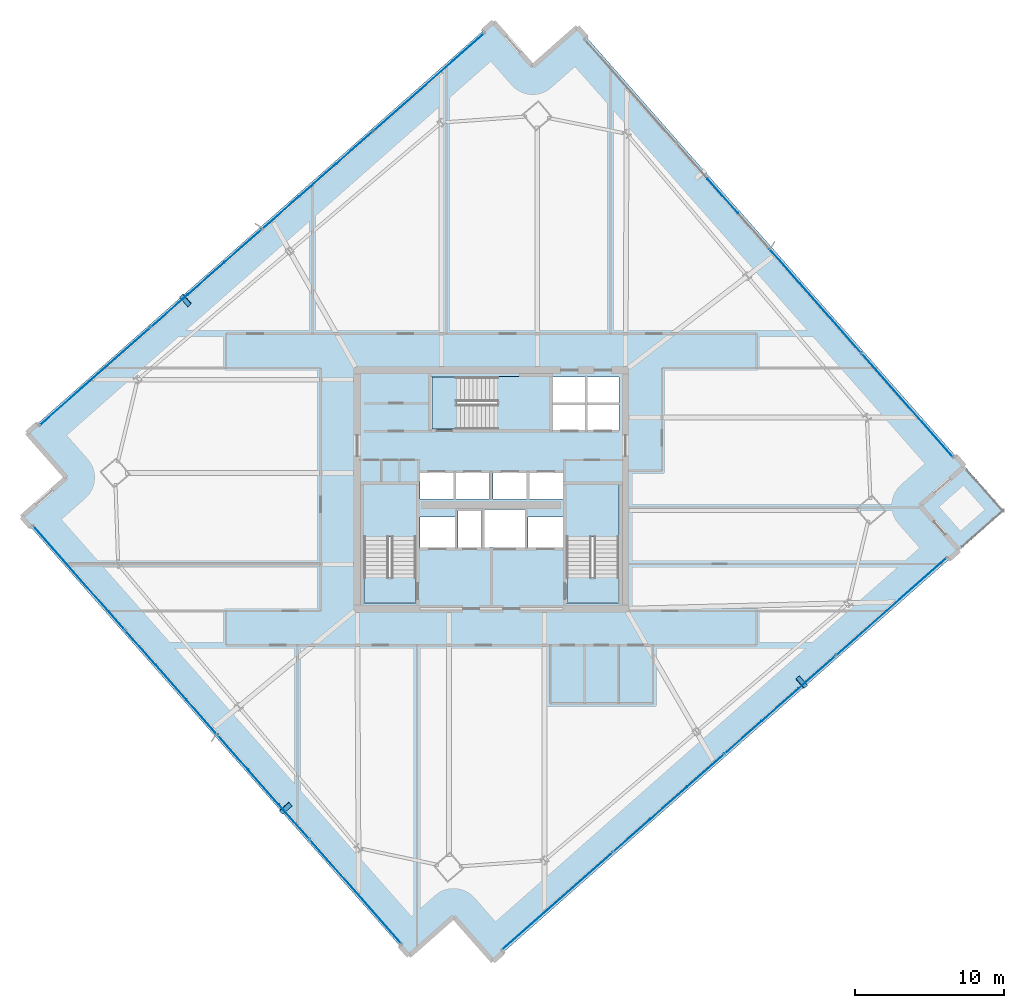
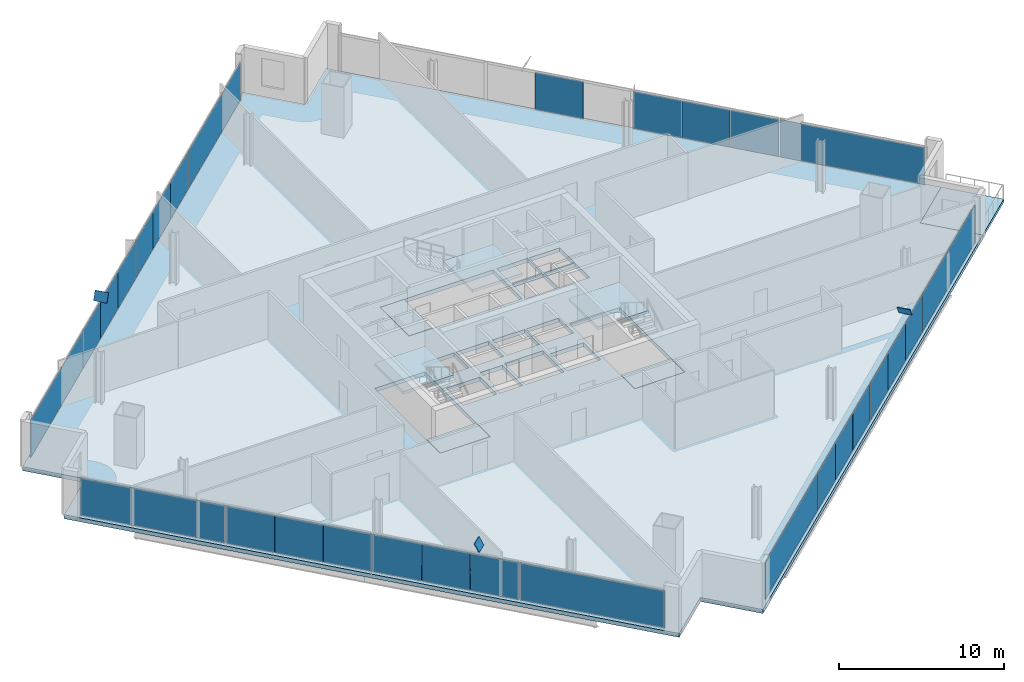
# One storey, part 25 of 34: 32 plates, 8 slabs, 7 elements without a shape of their own.
"""IFC4 building model written with IfcOpenShell, lengths in metres."""

import ifcopenshell
import ifcopenshell.guid

model = None  # the IFC model being written
_history = None  # IfcOwnerHistory: only IFC2X3 demands one
_inside = {}  # id of a spatial element -> (the spatial element, [elements in it])
_under = {}  # id of a project, library or spatial element -> (it, [spatial elements below it])
_declared = {}  # id of a project -> (the project, [libraries it declares])
_typed = {}  # id of a type object -> (the type object, [elements of that type])
_made_of = {}  # id of a material, layer set ... -> (it, [elements and type objects made of it])


def new_model(schema):
    """Start an empty IFC model of exactly this schema.

    Asked for "IFC4X3", IfcOpenShell would pick the latest addendum, in which some entities
    have other attributes; the version numbers below select the first issue.
    IFC2X3 requires an IfcOwnerHistory on every rooted entity: one is made here for all.
    """
    global model, _history
    if schema == "IFC4X3":
        model = ifcopenshell.file(schema_version=(4, 3, 0, 0))
    else:
        model = ifcopenshell.file(schema=schema)
    _inside.clear()
    _under.clear()
    _declared.clear()
    _typed.clear()
    _made_of.clear()
    _history = None
    if model.schema == "IFC2X3":
        org = make("IfcOrganization", Name="unknown")
        user = make(
            "IfcPersonAndOrganization",
            ThePerson=make("IfcPerson", FamilyName="unknown"),
            TheOrganization=org,
        )
        app = make(
            "IfcApplication",
            ApplicationDeveloper=org,
            Version="unknown",
            ApplicationFullName="unknown",
            ApplicationIdentifier="unknown",
        )
        _history = make(
            "IfcOwnerHistory",
            OwningUser=user,
            OwningApplication=app,
            ChangeAction="ADDED",
            CreationDate=0,
        )
    return model


def make(cls, **values):
    """One entity of the class cls with the attributes given. An attribute that is None is left unset."""
    return model.create_entity(
        cls, **{name: value for name, value in values.items() if value is not None}
    )


def rooted(cls, **values):
    """An entity with a GlobalId (a new one), such as an element, a storey or a relation."""
    return make(cls, GlobalId=ifcopenshell.guid.new(), OwnerHistory=_history, **values)


def si_unit(unit_type, name, prefix=None):
    """IfcSIUnit, for example si_unit("LENGTHUNIT", "METRE", prefix="MILLI")."""
    return make("IfcSIUnit", UnitType=unit_type, Prefix=prefix, Name=name)


def assignment(units):
    """IfcUnitAssignment: the units of a project."""
    return None if units is None else make("IfcUnitAssignment", Units=units)


def point(xyz):
    """IfcCartesianPoint."""
    return None if xyz is None else make("IfcCartesianPoint", Coordinates=xyz)


def direction(xyz):
    """IfcDirection."""
    return None if xyz is None else make("IfcDirection", DirectionRatios=xyz)


def frame(location, z_axis=None, x_axis=None):
    """IfcAxis2Placement3D, a coordinate frame: its origin and axes. An axis left out is left unset."""
    return make(
        "IfcAxis2Placement3D",
        Location=point(location),
        Axis=direction(z_axis),
        RefDirection=direction(x_axis),
    )


def frame_2d(location, x_axis=None):
    """IfcAxis2Placement2D, a coordinate frame in the plane: its origin and x axis."""
    return make(
        "IfcAxis2Placement2D", Location=point(location), RefDirection=direction(x_axis)
    )


def origin():
    """The frame at (0, 0, 0) with its axes left unset."""
    return frame((0.0, 0.0, 0.0))


def origin_2d():
    """The frame at (0, 0) in the plane with its x axis left unset."""
    return frame_2d((0.0, 0.0))


def place(relative_to, where):
    """IfcLocalPlacement: puts the frame where relative to a parent placement (None: the world)."""
    return make(
        "IfcLocalPlacement", PlacementRelTo=relative_to, RelativePlacement=where
    )


def context(
    kind, dimensions, precision=None, world=None, true_north=None, identifier=None
):
    """IfcGeometricRepresentationContext, for example the 3D "Model" context."""
    return make(
        "IfcGeometricRepresentationContext",
        ContextIdentifier=identifier,
        ContextType=kind,
        CoordinateSpaceDimension=dimensions,
        Precision=precision,
        WorldCoordinateSystem=world,
        TrueNorth=true_north,
    )


def subcontext(parent, identifier, kind, view, scale=None):
    """IfcGeometricRepresentationSubContext, for example "Body" below "Model"."""
    return make(
        "IfcGeometricRepresentationSubContext",
        ContextIdentifier=identifier,
        ContextType=kind,
        ParentContext=parent,
        TargetScale=scale,
        TargetView=view,
    )


def project(units=None, contexts=None):
    """IfcProject with its units and contexts."""
    return rooted(
        "IfcProject",
        Name="project",
        RepresentationContexts=contexts,
        UnitsInContext=assignment(units),
    )


def spatial(cls, under=None, at=None, **own):
    """A site, building, storey or space (cls), placed at a placement, below another one or the project."""
    s = rooted(cls, ObjectPlacement=at, **own)
    if under is not None:
        _under.setdefault(under.id(), (under, []))[1].append(s)
    return s


def polyline(points):
    """IfcPolyline through the points."""
    return make("IfcPolyline", Points=[point(p) for p in points])


def profile(cls, at=None, kind="AREA", **sizes):
    """A parametric profile (cls). Its sizes go by their IFC names, for example OverallWidth=200.0."""
    return make(cls, ProfileType=kind, Position=at, **sizes)


def rectangle(**sizes):
    """IfcRectangleProfileDef."""
    return profile("IfcRectangleProfileDef", **sizes)


def outline(outer, holes=None, kind="AREA"):
    """IfcArbitraryClosedProfileDef: a profile drawn as a closed curve; with holes, ...WithVoids."""
    if holes is None:
        return make("IfcArbitraryClosedProfileDef", ProfileType=kind, OuterCurve=outer)
    return make(
        "IfcArbitraryProfileDefWithVoids",
        ProfileType=kind,
        OuterCurve=outer,
        InnerCurves=holes,
    )


def extrude(swept, where, along, depth):
    """IfcExtrudedAreaSolid: the profile swept, set in the frame where, extruded along a direction by depth."""
    return make(
        "IfcExtrudedAreaSolid",
        SweptArea=swept,
        Position=where,
        ExtrudedDirection=direction(along),
        Depth=depth,
    )


def shape(context_of_items, identifier, shape_type, items):
    """IfcShapeRepresentation: the items that make up one representation, for example the "Body"."""
    return make(
        "IfcShapeRepresentation",
        ContextOfItems=context_of_items,
        RepresentationIdentifier=identifier,
        RepresentationType=shape_type,
        Items=items,
    )


def source(mapping_origin, context_of_items, identifier, shape_type, items):
    """IfcRepresentationMap: a shape defined once, which mapped items show again and again."""
    return make(
        "IfcRepresentationMap",
        MappingOrigin=mapping_origin,
        MappedRepresentation=shape(context_of_items, identifier, shape_type, items),
    )


def transform(
    local_origin,
    x_axis=None,
    y_axis=None,
    z_axis=None,
    scale=None,
    scale2=None,
    scale3=None,
    uniform=True,
):
    """IfcCartesianTransformationOperator3D, or its non-uniform kind. x_axis, y_axis, z_axis: its Axis1, 2, 3."""
    if uniform:
        return make(
            "IfcCartesianTransformationOperator3D",
            Axis1=direction(x_axis),
            Axis2=direction(y_axis),
            LocalOrigin=point(local_origin),
            Scale=scale,
            Axis3=direction(z_axis),
        )
    return make(
        "IfcCartesianTransformationOperator3DnonUniform",
        Axis1=direction(x_axis),
        Axis2=direction(y_axis),
        LocalOrigin=point(local_origin),
        Scale=scale,
        Axis3=direction(z_axis),
        Scale2=scale2,
        Scale3=scale3,
    )


def mapped(mapping_source, mapping_target):
    """IfcMappedItem: shows the shape of a source again, moved by a transform."""
    return make(
        "IfcMappedItem", MappingSource=mapping_source, MappingTarget=mapping_target
    )


def material(Name=None, Category=None):
    """IfcMaterial."""
    return make("IfcMaterial", Name=Name, Category=Category)


def layer(
    of_material, thickness, ventilated=None, Name=None, Category=None, Priority=None
):
    """IfcMaterialLayer: one layer of a wall or slab, of a material (None: an air gap)."""
    return make(
        "IfcMaterialLayer",
        Material=of_material,
        LayerThickness=thickness,
        IsVentilated=ventilated,
        Name=Name,
        Category=Category,
        Priority=Priority,
    )


def layer_set(layers, Name=None):
    """IfcMaterialLayerSet."""
    return make("IfcMaterialLayerSet", MaterialLayers=layers, LayerSetName=Name)


def made_of(thing, what):
    """Note that an element or type object is made of a material, layer set ...; save() writes the relation."""
    if what is not None:
        _made_of.setdefault(what.id(), (what, []))[1].append(thing)
    return thing


def type_object(cls, material=None, **own):
    """A type object (cls), such as IfcWallType, which elements share."""
    return made_of(rooted(cls, **own), material)


def element(
    cls,
    number,
    at=None,
    inside=None,
    cuts=None,
    type_object=None,
    material=None,
    context=None,
    identifier="Body",
    shape_type=None,
    held_by="IfcProductDefinitionShape",
    body=None,
    shapes=None,
    **own,
):
    """One element of the class cls, such as IfcWall. Its Tag is "e" and its number.

    at: its placement. inside: the storey or other place that contains it. cuts: it is an
    opening in that element (IfcRelVoidsElement). A single representation is given by context,
    identifier, shape_type and body (its items); several are given by shapes. held_by: the class
    of the entity that holds the representations. save() writes the other relations.
    """
    e = rooted(cls, Tag="e%d" % number, ObjectPlacement=at, **own)
    if body is not None:
        shapes = [shape(context, identifier, shape_type, body)]
    if shapes is not None:
        e.Representation = make(held_by, Representations=shapes)
    if inside is not None:
        _inside.setdefault(inside.id(), (inside, []))[1].append(e)
    if cuts is not None:
        rooted(
            "IfcRelVoidsElement", RelatingBuildingElement=cuts, RelatedOpeningElement=e
        )
    if type_object is not None:
        _typed.setdefault(type_object.id(), (type_object, []))[1].append(e)
    return made_of(e, material)


def aggregate(whole, parts):
    """IfcRelAggregates: a whole, such as a stair, and the parts it consists of."""
    return rooted("IfcRelAggregates", RelatingObject=whole, RelatedObjects=parts)


def save(model, path):
    """Write the relations noted so far, then the file.

    IfcRelAggregates (storeys below a building ...), IfcRelContainedInSpatialStructure (elements
    in a storey), IfcRelDefinesByType, IfcRelAssociatesMaterial and IfcRelDeclares: one each for
    every whole, place, type object, material and project.
    """
    for whole, parts in _under.values():
        aggregate(whole, parts)
    for where, things in _inside.values():
        rooted(
            "IfcRelContainedInSpatialStructure",
            RelatedElements=things,
            RelatingStructure=where,
        )
    for kind, things in _typed.values():
        rooted("IfcRelDefinesByType", RelatedObjects=things, RelatingType=kind)
    for what, things in _made_of.values():
        rooted("IfcRelAssociatesMaterial", RelatedObjects=things, RelatingMaterial=what)
    for by, libraries in _declared.values():
        rooted("IfcRelDeclares", RelatingContext=by, RelatedDefinitions=libraries)
    model.write(path)


model = new_model("IFC4")

# Units and contexts
model_context = context("Model", 3, precision=1e-05, world=origin(), true_north=direction((0.0, 1.0)))
body_context = subcontext(model_context, "Body", "Model", "MODEL_VIEW")
ifc_project = project(units=[si_unit("LENGTHUNIT", "METRE"), si_unit("AREAUNIT", "SQUARE_METRE"), si_unit("VOLUMEUNIT", "CUBIC_METRE"), si_unit("PLANEANGLEUNIT", "RADIAN"), si_unit("MASSUNIT", "GRAM", prefix="KILO")], contexts=[model_context])

# Site, building, storey
site_placement = place(None, origin())
site = spatial("IfcSite", under=ifc_project, at=site_placement, CompositionType="ELEMENT")
building_placement = place(site_placement, origin())
building = spatial("IfcBuilding", under=site, at=building_placement, Name="Haldenkirk Collegiate Tower", CompositionType="ELEMENT")
storey_placement = place(building_placement, frame((0.0, 0.0, 166.949951171875)))
storey = spatial("IfcBuildingStorey", under=building, at=storey_placement, Name="L41", CompositionType="ELEMENT", Elevation=166.949951171875)

# Slab
ifc_material_1 = material(Name="Concrete f'c 40 MPa", Category="concrete")
ifc_layer_1 = layer(ifc_material_1, 0.2900390625)
ifc_layer_set_1 = layer_set([ifc_layer_1], Name="Concrete f'c 40 MPa")
slab_type_1 = type_object("IfcSlabType", Name="SLB-FLR-290", PredefinedType="FLOOR", material=ifc_layer_set_1)
slab_1_placement = place(storey_placement, frame((0.0, 0.0, -0.2900390625)))
element("IfcSlab", 1, at=slab_1_placement, inside=storey, type_object=slab_type_1, Name="L41 composite structural floor slab", PredefinedType="FLOOR", context=body_context, shape_type="SweptSolid", body=[
    extrude(outline(polyline([(36.115966796875, -5.65966796875), (67.3955078125, 21.9169921875), (64.750244140625, 24.91748046875), (67.750732421875, 27.5625), (41.777587890625, 57.023193359375), (38.77734375, 54.3779296875), (36.132080078125, 57.37841796875), (4.852294921875, 29.8017578125), (7.497802734375, 26.80126953125), (4.497314453125, 24.156005859375), (30.47021484375, -5.3046875), (33.470703125, -2.6591796875), (36.115966796875, -5.65966796875)]), holes=[polyline([(27.449951171875, 18.39990234375), (30.949951171875, 18.39990234375), (30.949951171875, 26.300048828125), (27.449951171875, 26.300048828125), (27.449951171875, 18.39990234375)]), polyline([(41.050048828125, 18.39990234375), (44.550048828125, 18.39990234375), (44.550048828125, 26.300048828125), (41.050048828125, 26.300048828125), (41.050048828125, 18.39990234375)]), polyline([(32.0, 30.050048828125), (39.89990234375, 30.050048828125), (39.89990234375, 33.550048828125), (32.0, 33.550048828125), (32.0, 30.050048828125)]), polyline([(33.75, 22.10009765625), (35.35009765625, 22.10009765625), (35.35009765625, 24.550048828125), (33.75, 24.550048828125), (33.75, 22.10009765625)]), polyline([(40.14990234375, 29.949951171875), (42.320068359375, 29.949951171875), (42.320068359375, 31.699951171875), (40.14990234375, 31.699951171875), (40.14990234375, 29.949951171875)]), polyline([(42.419921875, 29.949951171875), (44.550048828125, 29.949951171875), (44.550048828125, 31.699951171875), (42.419921875, 31.699951171875), (42.419921875, 29.949951171875)]), polyline([(40.14990234375, 31.800048828125), (42.320068359375, 31.800048828125), (42.320068359375, 33.550048828125), (40.14990234375, 33.550048828125), (40.14990234375, 31.800048828125)]), polyline([(42.419921875, 31.800048828125), (44.550048828125, 31.800048828125), (44.550048828125, 33.550048828125), (42.419921875, 33.550048828125), (42.419921875, 31.800048828125)]), polyline([(31.199951171875, 25.35009765625), (33.47998046875, 25.35009765625), (33.47998046875, 27.14990234375), (31.199951171875, 27.14990234375), (31.199951171875, 25.35009765625)]), polyline([(33.60009765625, 25.35009765625), (35.8798828125, 25.35009765625), (35.8798828125, 27.14990234375), (33.60009765625, 27.14990234375), (33.60009765625, 25.35009765625)]), polyline([(36.1201171875, 25.35009765625), (38.39990234375, 25.35009765625), (38.39990234375, 27.14990234375), (36.1201171875, 27.14990234375), (36.1201171875, 25.35009765625)]), polyline([(38.52001953125, 25.35009765625), (40.800048828125, 25.35009765625), (40.800048828125, 27.14990234375), (38.52001953125, 27.14990234375), (38.52001953125, 25.35009765625)]), polyline([(31.199951171875, 22.10009765625), (33.550048828125, 22.10009765625), (33.550048828125, 24.14990234375), (31.199951171875, 24.14990234375), (31.199951171875, 22.10009765625)]), polyline([(38.449951171875, 22.10009765625), (40.800048828125, 22.10009765625), (40.800048828125, 24.14990234375), (38.449951171875, 24.14990234375), (38.449951171875, 22.10009765625)]), polyline([(35.550048828125, 22.10009765625), (38.25, 22.10009765625), (38.25, 24.64990234375), (35.550048828125, 24.64990234375), (35.550048828125, 22.10009765625)])]), origin(), (0.0, 0.0, 1.0), 0.2900390625),
])

# Stair, slab
stair_type = type_object("IfcStairType", Name="STR-DOGLEG-1650", PredefinedType="HALF_TURN_STAIR", material=ifc_material_1)
stair_1_placement = place(storey_placement, origin())
stair_1 = element("IfcStair", 2, at=stair_1_placement, inside=storey, type_object=stair_type, Name="L41 Core Exit Stair ST-1", PredefinedType="HALF_TURN_STAIR")
ifc_layer_2 = layer(ifc_material_1, 0.199951171875)
ifc_layer_set_2 = layer_set([ifc_layer_2], Name="Concrete f'c 40 MPa")
slab_type_2 = type_object("IfcSlabType", Name="SLB-LANDING-200", PredefinedType="LANDING", material=ifc_layer_set_2)
slab_2_placement = place(storey_placement, frame((0.0, 0.0, 1.675048828125)))
slab_2 = element("IfcSlab", 3, at=slab_2_placement, type_object=slab_type_2, Name="ST-1 landing 1", PredefinedType="LANDING", context=body_context, shape_type="SweptSolid", body=[
    extrude(outline(polyline([(30.97509765625, 22.824951171875), (27.425048828125, 22.824951171875), (27.425048828125, 26.324951171875), (30.97509765625, 26.324951171875), (30.97509765625, 22.824951171875)])), origin(), (0.0, 0.0, 1.0), 0.199951171875),
])
aggregate(stair_1, [slab_2])

stair_2_placement = place(storey_placement, origin())
stair_2 = element("IfcStair", 4, at=stair_2_placement, inside=storey, type_object=stair_type, Name="L41 Core Exit Stair ST-2", PredefinedType="HALF_TURN_STAIR")
slab_3_placement = place(storey_placement, frame((0.0, 0.0, 1.675048828125)))
slab_3 = element("IfcSlab", 5, at=slab_3_placement, type_object=slab_type_2, Name="ST-2 landing 1", PredefinedType="LANDING", context=body_context, shape_type="SweptSolid", body=[
    extrude(outline(polyline([(44.574951171875, 22.824951171875), (41.02490234375, 22.824951171875), (41.02490234375, 26.324951171875), (44.574951171875, 26.324951171875), (44.574951171875, 22.824951171875)])), origin(), (0.0, 0.0, 1.0), 0.199951171875),
])
aggregate(stair_2, [slab_3])

stair_3_placement = place(storey_placement, origin())
stair_3 = element("IfcStair", 6, at=stair_3_placement, inside=storey, type_object=stair_type, Name="L41 Core Exit Stair ST-3", PredefinedType="HALF_TURN_STAIR")
slab_4_placement = place(storey_placement, frame((0.0, 0.0, 1.675048828125)))
slab_4 = element("IfcSlab", 7, at=slab_4_placement, type_object=slab_type_2, Name="ST-3 landing 1", PredefinedType="LANDING", context=body_context, shape_type="SweptSolid", body=[
    extrude(outline(polyline([(36.425048828125, 30.02490234375), (36.425048828125, 33.574951171875), (39.925048828125, 33.574951171875), (39.925048828125, 30.02490234375), (36.425048828125, 30.02490234375)])), origin(), (0.0, 0.0, 1.0), 0.199951171875),
])
aggregate(stair_3, [slab_4])

# Slabs
ifc_layer_3 = layer(ifc_material_1, 0.25)
ifc_layer_set_3 = layer_set([ifc_layer_3], Name="Concrete f'c 40 MPa")
slab_type_3 = type_object("IfcSlabType", Name="SLB-STAIRLAND-250", PredefinedType="LANDING", material=ifc_layer_set_3)
slab_5_placement = place(storey_placement, frame((0.0, 0.0, -0.25)))
element("IfcSlab", 8, at=slab_5_placement, inside=storey, type_object=slab_type_3, Name="L41 stair ST1 structural floor landing slab", PredefinedType="LANDING", context=body_context, shape_type="SweptSolid", body=[
    extrude(outline(polyline([(27.4599609375, 18.409912109375), (30.93994140625, 18.409912109375), (30.93994140625, 20.080078125), (27.4599609375, 20.080078125), (27.4599609375, 18.409912109375)])), origin(), (0.0, 0.0, 1.0), 0.25),
])
slab_6_placement = place(storey_placement, frame((0.0, 0.0, -0.25)))
element("IfcSlab", 9, at=slab_6_placement, inside=storey, type_object=slab_type_3, Name="L41 stair ST2 structural floor landing slab", PredefinedType="LANDING", context=body_context, shape_type="SweptSolid", body=[
    extrude(outline(polyline([(41.06005859375, 18.409912109375), (44.5400390625, 18.409912109375), (44.5400390625, 20.080078125), (41.06005859375, 20.080078125), (41.06005859375, 18.409912109375)])), origin(), (0.0, 0.0, 1.0), 0.25),
])
slab_7_placement = place(storey_placement, frame((0.0, 0.0, -0.25)))
element("IfcSlab", 10, at=slab_7_placement, inside=storey, type_object=slab_type_3, Name="L41 stair ST3 structural floor landing slab", PredefinedType="LANDING", context=body_context, shape_type="SweptSolid", body=[
    extrude(outline(polyline([(32.010009765625, 30.06005859375), (33.679931640625, 30.06005859375), (33.679931640625, 33.5400390625), (32.010009765625, 33.5400390625), (32.010009765625, 30.06005859375)])), origin(), (0.0, 0.0, 1.0), 0.25),
])
ifc_layer_4 = layer(ifc_material_1, 0.22998046875)
ifc_layer_set_4 = layer_set([ifc_layer_4], Name="Concrete f'c 40 MPa")
slab_type_4 = type_object("IfcSlabType", Name="SLB-TERR-SPIRAL-230", PredefinedType="FLOOR", material=ifc_layer_set_4)
slab_8_placement = place(storey_placement, frame((0.0, 0.0, -0.22998046875)))
element("IfcSlab", 11, at=slab_8_placement, inside=storey, type_object=slab_type_4, Name="L41 spiralling corner terrace slab", PredefinedType="FLOOR", context=body_context, shape_type="SweptSolid", body=[
    extrude(outline(polyline([(67.3955078125, 21.9169921875), (70.39599609375, 24.562255859375), (67.750732421875, 27.5625), (64.750244140625, 24.91748046875), (67.3955078125, 21.9169921875)])), origin(), (0.0, 0.0, 1.0), 0.22998046875),
])

# Plates
ifc_material_2 = material(Name="Steel ASTM A572 Grade 50", Category="steel")
ifc_layer_5 = layer(ifc_material_2, 0.034912109375)
ifc_layer_set_5 = layer_set([ifc_layer_5], Name="Steel ASTM A572 Grade 50")
plate_type_1 = type_object("IfcPlateType", Name="PLT-CAP-EXT-760X600", PredefinedType="USERDEFINED", material=ifc_layer_set_5)
shared_shape_1 = source(origin(), body_context, "Body", "SweptSolid", [
    extrude(rectangle(XDim=0.860107421875, YDim=0.659912109375, at=origin_2d()), origin(), (0.0, 0.0, 1.0), 0.034912109375),
])
for number, where, z_axis, x_axis, name in (
    (12, (56.80908203125, 13.0595703125, 3.44873046875), (0.675896113423, 0.581156097525, 0.453235076058), (-0.651965314257, 0.758248790969, -1.90451e-07), "Perimeter Mega Brace Z3 L39-L41 SL end cap plate 2"),
    (13, (15.485107421875, 38.701416015625, 3.44873046875), (-0.671789098344, -0.586610085875, 0.452314066215), (0.65773861328, -0.753246252298, -4.83699e-07), "Perimeter Mega Brace Z3 L39-L41 NL end cap plate 2"),
    (14, (22.190185546875, 4.621826171875, 3.448486328125), (0.581636894709, -0.664010879797, 0.46988091494), (0.75222434065, 0.658907080956, 8.7064e-08), "Perimeter Mega Brace Z3 L39-L41 WL end cap plate 2"),
):
    element("IfcPlate", number, at=place(storey_placement, frame(where, z_axis=z_axis, x_axis=x_axis)), inside=storey, type_object=plate_type_1, Name=name, ObjectType="END CAP PLATE", PredefinedType="USERDEFINED", context=body_context, shape_type="MappedRepresentation", body=[
        mapped(shared_shape_1, transform((0.0, 0.0, 0.0), x_axis=(1.0, 0.0, 0.0), y_axis=(0.0, 1.0, 0.0), z_axis=(0.0, 0.0, 1.0), scale=1.0)),
    ])

# Curtain wall, plates
ifc_material_3 = material(Name="Anodised architectural bronze aluminium", Category="aluminium")
curtain_wall_type_1 = type_object("IfcCurtainWallType", Name="CW-SYS2-CONCAVE", PredefinedType="USERDEFINED", material=ifc_material_3)
curtain_wall_1_placement = place(storey_placement, origin())
curtain_wall_1 = element("IfcCurtainWall", 15, at=curtain_wall_1_placement, inside=storey, type_object=curtain_wall_type_1, Name="L41 South concave recessed bronze-anodised curtain wall", ObjectType="UNITISED CURTAIN WALL", PredefinedType="USERDEFINED")
ifc_material_4 = material(Name="Low-E argon triple insulating glass", Category="glass")
ifc_layer_6 = layer(ifc_material_4, 0.0419921875)
ifc_layer_set_6 = layer_set([ifc_layer_6], Name="Low-E argon triple insulating glass")
plate_type_2 = type_object("IfcPlateType", Name="CW-PNL-02", PredefinedType="CURTAIN_PANEL", material=ifc_layer_set_6)
shared_shape_2 = source(origin(), body_context, "Body", "SweptSolid", [
    extrude(rectangle(XDim=9.862548828125, YDim=0.0419921875, at=origin_2d()), origin(), (0.0, 0.0, 1.0), 2.760986328125),
])
plate_1_placement = place(storey_placement, frame((62.84619140625, 18.14599609375, 0.0751953125), z_axis=(0.0, 0.0, 1.0), x_axis=(-0.750112358382, -0.661310403519, 0.0)))
plate_1 = element("IfcPlate", 16, at=plate_1_placement, type_object=plate_type_2, Name="CW-02 panel 1.1", PredefinedType="CURTAIN_PANEL", context=body_context, shape_type="MappedRepresentation", body=[
    mapped(shared_shape_2, transform((0.0, 0.0, 0.0), x_axis=(1.0, 0.0, 0.0), y_axis=(0.0, 1.0, 0.0), z_axis=(0.0, 0.0, 1.0), scale=1.0)),
])
plate_2_placement = place(storey_placement, frame((40.42724609375, -1.618896484375, 0.0751953125), z_axis=(0.0, 0.0, 1.0), x_axis=(-0.750112358382, -0.661310403519, 0.0)))
plate_2 = element("IfcPlate", 17, at=plate_2_placement, type_object=plate_type_2, Name="CW-02 panel 4.1", PredefinedType="CURTAIN_PANEL", context=body_context, shape_type="MappedRepresentation", body=[
    mapped(shared_shape_2, transform((0.0, 0.0, 0.0), x_axis=(1.0, 0.0, 0.0), y_axis=(0.0, 1.0, 0.0), z_axis=(0.0, 0.0, 1.0), scale=1.0)),
])
ifc_material_5 = material(Name="Bronze-anodised insulated aluminium spandrel panel", Category="aluminium")
ifc_layer_7 = layer(ifc_material_5, 0.0419921875)
ifc_layer_set_7 = layer_set([ifc_layer_7], Name="Bronze-anodised insulated aluminium spandrel panel")
plate_type_3 = type_object("IfcPlateType", Name="CW-SPD-02", PredefinedType="CURTAIN_PANEL", material=ifc_layer_set_7)
shared_shape_3 = source(origin(), body_context, "Body", "SweptSolid", [
    extrude(rectangle(XDim=3.28759765625, YDim=0.0419921875, at=origin_2d()), origin(), (0.0, 0.0, 1.0), 2.760986328125),
])
plate_3_placement = place(storey_placement, frame((57.85791015625, 13.748291015625, 0.0751953125), z_axis=(0.0, 0.0, 1.0), x_axis=(-0.750112358382, -0.661310403519, 0.0)))
plate_3 = element("IfcPlate", 18, at=plate_3_placement, type_object=plate_type_3, Name="CW-02 spandrel panel 2.1a", PredefinedType="CURTAIN_PANEL", context=body_context, shape_type="MappedRepresentation", body=[
    mapped(shared_shape_3, transform((0.0, 0.0, 0.0), x_axis=(1.0, 0.0, 0.0), y_axis=(0.0, 1.0, 0.0), z_axis=(0.0, 0.0, 1.0), scale=1.0)),
])
plate_4_placement = place(storey_placement, frame((52.89794921875, 9.37548828125, 0.0751953125), z_axis=(0.0, 0.0, 1.0), x_axis=(-0.750112358382, -0.661310403519, 0.0)))
plate_4 = element("IfcPlate", 19, at=plate_4_placement, type_object=plate_type_3, Name="CW-02 spandrel panel 2.1c", PredefinedType="CURTAIN_PANEL", context=body_context, shape_type="MappedRepresentation", body=[
    mapped(shared_shape_3, transform((0.0, 0.0, 0.0), x_axis=(1.0, 0.0, 0.0), y_axis=(0.0, 1.0, 0.0), z_axis=(0.0, 0.0, 1.0), scale=1.0)),
])
plate_5_placement = place(storey_placement, frame((50.37548828125, 7.15185546875, 0.0751953125), z_axis=(0.0, 0.0, 1.0), x_axis=(-0.750112358382, -0.661310403519, 0.0)))
plate_5 = element("IfcPlate", 20, at=plate_5_placement, type_object=plate_type_3, Name="CW-02 spandrel panel 3.1a", PredefinedType="CURTAIN_PANEL", context=body_context, shape_type="MappedRepresentation", body=[
    mapped(shared_shape_3, transform((0.0, 0.0, 0.0), x_axis=(1.0, 0.0, 0.0), y_axis=(0.0, 1.0, 0.0), z_axis=(0.0, 0.0, 1.0), scale=1.0)),
])
plate_6_placement = place(storey_placement, frame((45.41552734375, 2.77880859375, 0.0751953125), z_axis=(0.0, 0.0, 1.0), x_axis=(-0.750112358382, -0.661310403519, 0.0)))
plate_6 = element("IfcPlate", 21, at=plate_6_placement, type_object=plate_type_2, Name="CW-02 panel 3.1c", PredefinedType="CURTAIN_PANEL", context=body_context, shape_type="MappedRepresentation", body=[
    mapped(shared_shape_3, transform((0.0, 0.0, 0.0), x_axis=(1.0, 0.0, 0.0), y_axis=(0.0, 1.0, 0.0), z_axis=(0.0, 0.0, 1.0), scale=1.0)),
])
shared_shape_4 = source(origin(), body_context, "Body", "SweptSolid", [
    extrude(rectangle(XDim=3.27490234375, YDim=0.0419921875, at=origin_2d()), origin(), (0.0, 0.0, 1.0), 2.760986328125),
])
plate_7_placement = place(storey_placement, frame((55.3779296875, 11.56201171875, 0.0751953125), z_axis=(0.0, 0.0, 1.0), x_axis=(-0.750112358382, -0.661310403519, 0.0)))
plate_7 = element("IfcPlate", 22, at=plate_7_placement, type_object=plate_type_3, Name="CW-02 spandrel panel 2.1b", PredefinedType="CURTAIN_PANEL", context=body_context, shape_type="MappedRepresentation", body=[
    mapped(shared_shape_4, transform((0.0, 0.0, 0.0), x_axis=(1.0, 0.0, 0.0), y_axis=(0.0, 1.0, 0.0), z_axis=(0.0, 0.0, 1.0), scale=1.0)),
])
plate_8_placement = place(storey_placement, frame((47.8955078125, 4.96533203125, 0.0751953125), z_axis=(0.0, 0.0, 1.0), x_axis=(-0.750112358382, -0.661310403519, 0.0)))
plate_8 = element("IfcPlate", 23, at=plate_8_placement, type_object=plate_type_2, Name="CW-02 panel 3.1b", PredefinedType="CURTAIN_PANEL", context=body_context, shape_type="MappedRepresentation", body=[
    mapped(shared_shape_4, transform((0.0, 0.0, 0.0), x_axis=(1.0, 0.0, 0.0), y_axis=(0.0, 1.0, 0.0), z_axis=(0.0, 0.0, 1.0), scale=1.0)),
])
aggregate(curtain_wall_1, [plate_1, plate_3, plate_7, plate_4, plate_5, plate_8, plate_6, plate_2])

# Curtain wall, plate
curtain_wall_type_2 = type_object("IfcCurtainWallType", Name="CW-SYS1-CONVEX-LOW", PredefinedType="USERDEFINED", material=ifc_material_3)
curtain_wall_2_placement = place(storey_placement, origin())
curtain_wall_2 = element("IfcCurtainWall", 24, at=curtain_wall_2_placement, inside=storey, type_object=curtain_wall_type_2, Name="L41 Lower tower convex bronze-framed unitised curtain wall", ObjectType="UNITISED CURTAIN WALL", PredefinedType="USERDEFINED")
ifc_layer_8 = layer(ifc_material_4, 0.0439453125)
ifc_layer_set_8 = layer_set([ifc_layer_8], Name="Low-E argon triple insulating glass")
plate_type_4 = type_object("IfcPlateType", Name="CW-PNL-1A", PredefinedType="CURTAIN_PANEL", material=ifc_layer_set_8)
shared_shape_5 = source(origin(), body_context, "Body", "SweptSolid", [
    extrude(rectangle(XDim=9.248779296875, YDim=0.0439453125, at=origin_2d()), origin(), (0.0, 0.0, 1.0), 2.7509765625),
])
plate_9_placement = place(storey_placement, frame((63.909423828125, 31.6474609375, 0.080078125), z_axis=(0.0, 0.0, 1.0), x_axis=(0.66131127315, -0.750111591701, 0.0)))
plate_9 = element("IfcPlate", 25, at=plate_9_placement, type_object=plate_type_4, Name="CW-1A panel 4.1", PredefinedType="CURTAIN_PANEL", context=body_context, shape_type="MappedRepresentation", body=[
    mapped(shared_shape_5, transform((0.0, 0.0, 0.0), x_axis=(1.0, 0.0, 0.0), y_axis=(0.0, 1.0, 0.0), z_axis=(0.0, 0.0, 1.0), scale=1.0)),
])

# Curtain wall, plates
curtain_wall_3_placement = place(storey_placement, origin())
curtain_wall_3 = element("IfcCurtainWall", 26, at=curtain_wall_3_placement, inside=storey, type_object=curtain_wall_type_2, Name="L41 Lower tower convex bronze-framed unitised curtain wall", ObjectType="UNITISED CURTAIN WALL", PredefinedType="USERDEFINED")
plate_10_placement = place(storey_placement, frame((26.89892578125, -0.981689453125, 0.080078125), z_axis=(0.0, 0.0, 1.0), x_axis=(-0.661309771702, 0.750112915401, 0.0)))
plate_10 = element("IfcPlate", 27, at=plate_10_placement, type_object=plate_type_4, Name="CW-1A panel 1.1", PredefinedType="CURTAIN_PANEL", context=body_context, shape_type="MappedRepresentation", body=[
    mapped(shared_shape_5, transform((0.0, 0.0, 0.0), x_axis=(1.0, 0.0, 0.0), y_axis=(0.0, 1.0, 0.0), z_axis=(0.0, 0.0, 1.0), scale=1.0)),
])
plate_11_placement = place(storey_placement, frame((8.33837890625, 20.0712890625, 0.080078125), z_axis=(0.0, 0.0, 1.0), x_axis=(-0.661309771702, 0.750112915401, 0.0)))
plate_11 = element("IfcPlate", 28, at=plate_11_placement, type_object=plate_type_4, Name="CW-1A panel 4.1", PredefinedType="CURTAIN_PANEL", context=body_context, shape_type="MappedRepresentation", body=[
    mapped(shared_shape_5, transform((0.0, 0.0, 0.0), x_axis=(1.0, 0.0, 0.0), y_axis=(0.0, 1.0, 0.0), z_axis=(0.0, 0.0, 1.0), scale=1.0)),
])

# Plate
ifc_layer_9 = layer(ifc_material_5, 0.0439453125)
ifc_layer_set_9 = layer_set([ifc_layer_9], Name="Bronze-anodised insulated aluminium spandrel panel")
plate_type_5 = type_object("IfcPlateType", Name="CW-SPD-1A", PredefinedType="CURTAIN_PANEL", material=ifc_layer_set_9)
shared_shape_6 = source(origin(), body_context, "Body", "SweptSolid", [
    extrude(rectangle(XDim=3.083740234375, YDim=0.0439453125, at=origin_2d()), origin(), (0.0, 0.0, 1.0), 2.7509765625),
])
plate_12_placement = place(storey_placement, frame((55.67529296875, 40.9873046875, 0.080078125), z_axis=(0.0, 0.0, 1.0), x_axis=(0.66131127315, -0.750111591701, 0.0)))
plate_12 = element("IfcPlate", 29, at=plate_12_placement, type_object=plate_type_5, Name="CW-1A spandrel panel 3.1a", PredefinedType="CURTAIN_PANEL", context=body_context, shape_type="MappedRepresentation", body=[
    mapped(shared_shape_6, transform((0.0, 0.0, 0.0), x_axis=(1.0, 0.0, 0.0), y_axis=(0.0, 1.0, 0.0), z_axis=(0.0, 0.0, 1.0), scale=1.0)),
])

plate_13_placement = place(storey_placement, frame((59.77880859375, 36.3330078125, 0.080078125), z_axis=(0.0, 0.0, 1.0), x_axis=(0.66131127315, -0.750111591701, 0.0)))
plate_13 = element("IfcPlate", 30, at=plate_13_placement, type_object=plate_type_4, Name="CW-1A panel 3.1c", PredefinedType="CURTAIN_PANEL", context=body_context, shape_type="MappedRepresentation", body=[
    mapped(shared_shape_6, transform((0.0, 0.0, 0.0), x_axis=(1.0, 0.0, 0.0), y_axis=(0.0, 1.0, 0.0), z_axis=(0.0, 0.0, 1.0), scale=1.0)),
])

plate_14_placement = place(storey_placement, frame((22.768310546875, 3.70361328125, 0.080078125), z_axis=(0.0, 0.0, 1.0), x_axis=(-0.661309771702, 0.750112915401, 0.0)))
plate_14 = element("IfcPlate", 31, at=plate_14_placement, type_object=plate_type_5, Name="CW-1A spandrel panel 2.1a", PredefinedType="CURTAIN_PANEL", context=body_context, shape_type="MappedRepresentation", body=[
    mapped(shared_shape_6, transform((0.0, 0.0, 0.0), x_axis=(1.0, 0.0, 0.0), y_axis=(0.0, 1.0, 0.0), z_axis=(0.0, 0.0, 1.0), scale=1.0)),
])

plate_15_placement = place(storey_placement, frame((18.664794921875, 8.358154296875, 0.080078125), z_axis=(0.0, 0.0, 1.0), x_axis=(-0.661309771702, 0.750112915401, 0.0)))
plate_15 = element("IfcPlate", 32, at=plate_15_placement, type_object=plate_type_5, Name="CW-1A spandrel panel 2.1c", PredefinedType="CURTAIN_PANEL", context=body_context, shape_type="MappedRepresentation", body=[
    mapped(shared_shape_6, transform((0.0, 0.0, 0.0), x_axis=(1.0, 0.0, 0.0), y_axis=(0.0, 1.0, 0.0), z_axis=(0.0, 0.0, 1.0), scale=1.0)),
])

plate_16_placement = place(storey_placement, frame((16.572509765625, 10.731201171875, 0.080078125), z_axis=(0.0, 0.0, 1.0), x_axis=(-0.661309771702, 0.750112915401, 0.0)))
plate_16 = element("IfcPlate", 33, at=plate_16_placement, type_object=plate_type_5, Name="CW-1A spandrel panel 3.1a", PredefinedType="CURTAIN_PANEL", context=body_context, shape_type="MappedRepresentation", body=[
    mapped(shared_shape_6, transform((0.0, 0.0, 0.0), x_axis=(1.0, 0.0, 0.0), y_axis=(0.0, 1.0, 0.0), z_axis=(0.0, 0.0, 1.0), scale=1.0)),
])

plate_17_placement = place(storey_placement, frame((12.46923828125, 15.3857421875, 0.080078125), z_axis=(0.0, 0.0, 1.0), x_axis=(-0.661309771702, 0.750112915401, 0.0)))
plate_17 = element("IfcPlate", 34, at=plate_17_placement, type_object=plate_type_4, Name="CW-1A panel 3.1c", PredefinedType="CURTAIN_PANEL", context=body_context, shape_type="MappedRepresentation", body=[
    mapped(shared_shape_6, transform((0.0, 0.0, 0.0), x_axis=(1.0, 0.0, 0.0), y_axis=(0.0, 1.0, 0.0), z_axis=(0.0, 0.0, 1.0), scale=1.0)),
])

shared_shape_7 = source(origin(), body_context, "Body", "SweptSolid", [
    extrude(rectangle(XDim=3.0712890625, YDim=0.0439453125, at=origin_2d()), origin(), (0.0, 0.0, 1.0), 2.7509765625),
])
plate_18_placement = place(storey_placement, frame((51.531494140625, 45.687744140625, 0.080078125), z_axis=(0.0, 0.0, 1.0), x_axis=(0.66131127315, -0.750111591701, 0.0)))
plate_18 = element("IfcPlate", 35, at=plate_18_placement, type_object=plate_type_5, Name="CW-1A spandrel panel 2.1b", PredefinedType="CURTAIN_PANEL", context=body_context, shape_type="MappedRepresentation", body=[
    mapped(shared_shape_7, transform((0.0, 0.0, 0.0), x_axis=(1.0, 0.0, 0.0), y_axis=(0.0, 1.0, 0.0), z_axis=(0.0, 0.0, 1.0), scale=1.0)),
])

plate_19_placement = place(storey_placement, frame((57.72705078125, 38.66015625, 0.080078125), z_axis=(0.0, 0.0, 1.0), x_axis=(0.66131127315, -0.750111591701, 0.0)))
plate_19 = element("IfcPlate", 36, at=plate_19_placement, type_object=plate_type_4, Name="CW-1A panel 3.1b", PredefinedType="CURTAIN_PANEL", context=body_context, shape_type="MappedRepresentation", body=[
    mapped(shared_shape_7, transform((0.0, 0.0, 0.0), x_axis=(1.0, 0.0, 0.0), y_axis=(0.0, 1.0, 0.0), z_axis=(0.0, 0.0, 1.0), scale=1.0)),
])

aggregate(curtain_wall_2, [plate_18, plate_12, plate_19, plate_13, plate_9])

plate_20_placement = place(storey_placement, frame((20.716552734375, 6.031005859375, 0.080078125), z_axis=(0.0, 0.0, 1.0), x_axis=(-0.661309771702, 0.750112915401, 0.0)))
plate_20 = element("IfcPlate", 37, at=plate_20_placement, type_object=plate_type_5, Name="CW-1A spandrel panel 2.1b", PredefinedType="CURTAIN_PANEL", context=body_context, shape_type="MappedRepresentation", body=[
    mapped(shared_shape_7, transform((0.0, 0.0, 0.0), x_axis=(1.0, 0.0, 0.0), y_axis=(0.0, 1.0, 0.0), z_axis=(0.0, 0.0, 1.0), scale=1.0)),
])

plate_21_placement = place(storey_placement, frame((14.52099609375, 13.05859375, 0.080078125), z_axis=(0.0, 0.0, 1.0), x_axis=(-0.661309771702, 0.750112915401, 0.0)))
plate_21 = element("IfcPlate", 38, at=plate_21_placement, type_object=plate_type_4, Name="CW-1A panel 3.1b", PredefinedType="CURTAIN_PANEL", context=body_context, shape_type="MappedRepresentation", body=[
    mapped(shared_shape_7, transform((0.0, 0.0, 0.0), x_axis=(1.0, 0.0, 0.0), y_axis=(0.0, 1.0, 0.0), z_axis=(0.0, 0.0, 1.0), scale=1.0)),
])

aggregate(curtain_wall_3, [plate_10, plate_14, plate_20, plate_15, plate_16, plate_21, plate_17, plate_11])

# Curtain wall, plates
curtain_wall_4_placement = place(storey_placement, origin())
curtain_wall_4 = element("IfcCurtainWall", 39, at=curtain_wall_4_placement, inside=storey, type_object=curtain_wall_type_2, Name="L41 Lower tower convex bronze-framed unitised curtain wall", ObjectType="UNITISED CURTAIN WALL", PredefinedType="USERDEFINED")
shared_shape_8 = source(origin(), body_context, "Body", "SweptSolid", [
    extrude(rectangle(XDim=9.85498046875, YDim=0.0439453125, at=origin_2d()), origin(), (0.0, 0.0, 1.0), 2.7509765625),
])
plate_22_placement = place(storey_placement, frame((9.402587890625, 33.573486328125, 0.080078125), z_axis=(0.0, 0.0, 1.0), x_axis=(0.750112358382, 0.661310403519, 0.0)))
plate_22 = element("IfcPlate", 40, at=plate_22_placement, type_object=plate_type_4, Name="CW-1A panel 1.1", PredefinedType="CURTAIN_PANEL", context=body_context, shape_type="MappedRepresentation", body=[
    mapped(shared_shape_8, transform((0.0, 0.0, 0.0), x_axis=(1.0, 0.0, 0.0), y_axis=(0.0, 1.0, 0.0), z_axis=(0.0, 0.0, 1.0), scale=1.0)),
])
plate_23_placement = place(storey_placement, frame((31.81982421875, 53.336669921875, 0.080078125), z_axis=(0.0, 0.0, 1.0), x_axis=(0.750112358382, 0.661310403519, 0.0)))
plate_23 = element("IfcPlate", 41, at=plate_23_placement, type_object=plate_type_4, Name="CW-1A panel 4.1", PredefinedType="CURTAIN_PANEL", context=body_context, shape_type="MappedRepresentation", body=[
    mapped(shared_shape_8, transform((0.0, 0.0, 0.0), x_axis=(1.0, 0.0, 0.0), y_axis=(0.0, 1.0, 0.0), z_axis=(0.0, 0.0, 1.0), scale=1.0)),
])
shared_shape_9 = source(origin(), body_context, "Body", "SweptSolid", [
    extrude(rectangle(XDim=3.285888671875, YDim=0.0439453125, at=origin_2d()), origin(), (0.0, 0.0, 1.0), 2.7509765625),
])
plate_24_placement = place(storey_placement, frame((14.391357421875, 37.971435546875, 0.080078125), z_axis=(0.0, 0.0, 1.0), x_axis=(0.750112358382, 0.661310403519, 0.0)))
plate_24 = element("IfcPlate", 42, at=plate_24_placement, type_object=plate_type_5, Name="CW-1A spandrel panel 2.1a", PredefinedType="CURTAIN_PANEL", context=body_context, shape_type="MappedRepresentation", body=[
    mapped(shared_shape_9, transform((0.0, 0.0, 0.0), x_axis=(1.0, 0.0, 0.0), y_axis=(0.0, 1.0, 0.0), z_axis=(0.0, 0.0, 1.0), scale=1.0)),
])
plate_25_placement = place(storey_placement, frame((19.348876953125, 42.34228515625, 0.080078125), z_axis=(0.0, 0.0, 1.0), x_axis=(0.750112358382, 0.661310403519, 0.0)))
plate_25 = element("IfcPlate", 43, at=plate_25_placement, type_object=plate_type_5, Name="CW-1A spandrel panel 2.1c", PredefinedType="CURTAIN_PANEL", context=body_context, shape_type="MappedRepresentation", body=[
    mapped(shared_shape_9, transform((0.0, 0.0, 0.0), x_axis=(1.0, 0.0, 0.0), y_axis=(0.0, 1.0, 0.0), z_axis=(0.0, 0.0, 1.0), scale=1.0)),
])
plate_26_placement = place(storey_placement, frame((21.87353515625, 44.568115234375, 0.080078125), z_axis=(0.0, 0.0, 1.0), x_axis=(0.750112358382, 0.661310403519, 0.0)))
plate_26 = element("IfcPlate", 44, at=plate_26_placement, type_object=plate_type_5, Name="CW-1A spandrel panel 3.1a", PredefinedType="CURTAIN_PANEL", context=body_context, shape_type="MappedRepresentation", body=[
    mapped(shared_shape_9, transform((0.0, 0.0, 0.0), x_axis=(1.0, 0.0, 0.0), y_axis=(0.0, 1.0, 0.0), z_axis=(0.0, 0.0, 1.0), scale=1.0)),
])
plate_27_placement = place(storey_placement, frame((26.831298828125, 48.938720703125, 0.080078125), z_axis=(0.0, 0.0, 1.0), x_axis=(0.750112358382, 0.661310403519, 0.0)))
plate_27 = element("IfcPlate", 45, at=plate_27_placement, type_object=plate_type_4, Name="CW-1A panel 3.1c", PredefinedType="CURTAIN_PANEL", context=body_context, shape_type="MappedRepresentation", body=[
    mapped(shared_shape_9, transform((0.0, 0.0, 0.0), x_axis=(1.0, 0.0, 0.0), y_axis=(0.0, 1.0, 0.0), z_axis=(0.0, 0.0, 1.0), scale=1.0)),
])
shared_shape_10 = source(origin(), body_context, "Body", "SweptSolid", [
    extrude(rectangle(XDim=3.273193359375, YDim=0.0439453125, at=origin_2d()), origin(), (0.0, 0.0, 1.0), 2.7509765625),
])
plate_28_placement = place(storey_placement, frame((16.8701171875, 40.156982421875, 0.080078125), z_axis=(0.0, 0.0, 1.0), x_axis=(0.750112358382, 0.661310403519, 0.0)))
plate_28 = element("IfcPlate", 46, at=plate_28_placement, type_object=plate_type_5, Name="CW-1A spandrel panel 2.1b", PredefinedType="CURTAIN_PANEL", context=body_context, shape_type="MappedRepresentation", body=[
    mapped(shared_shape_10, transform((0.0, 0.0, 0.0), x_axis=(1.0, 0.0, 0.0), y_axis=(0.0, 1.0, 0.0), z_axis=(0.0, 0.0, 1.0), scale=1.0)),
])
plate_29_placement = place(storey_placement, frame((24.352294921875, 46.75341796875, 0.080078125), z_axis=(0.0, 0.0, 1.0), x_axis=(0.750112358382, 0.661310403519, 0.0)))
plate_29 = element("IfcPlate", 47, at=plate_29_placement, type_object=plate_type_4, Name="CW-1A panel 3.1b", PredefinedType="CURTAIN_PANEL", context=body_context, shape_type="MappedRepresentation", body=[
    mapped(shared_shape_10, transform((0.0, 0.0, 0.0), x_axis=(1.0, 0.0, 0.0), y_axis=(0.0, 1.0, 0.0), z_axis=(0.0, 0.0, 1.0), scale=1.0)),
])
aggregate(curtain_wall_4, [plate_22, plate_24, plate_28, plate_25, plate_26, plate_29, plate_27, plate_23])

save(model, "model.ifc")
